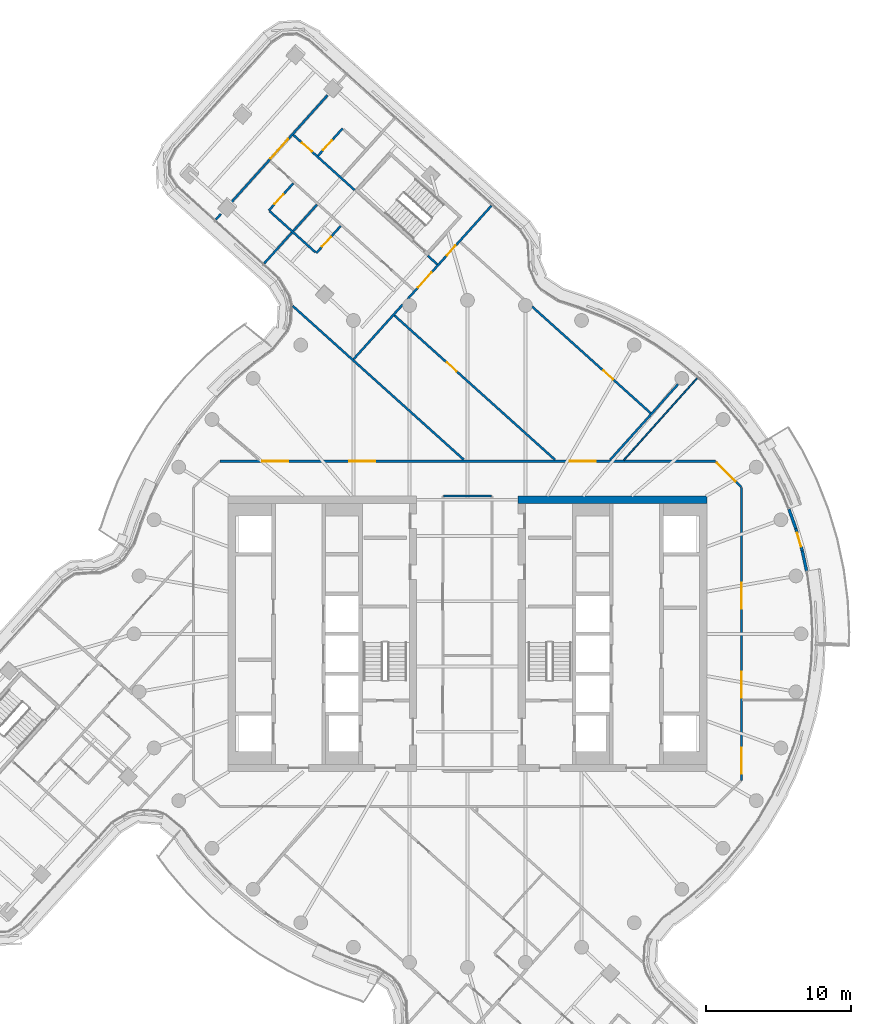
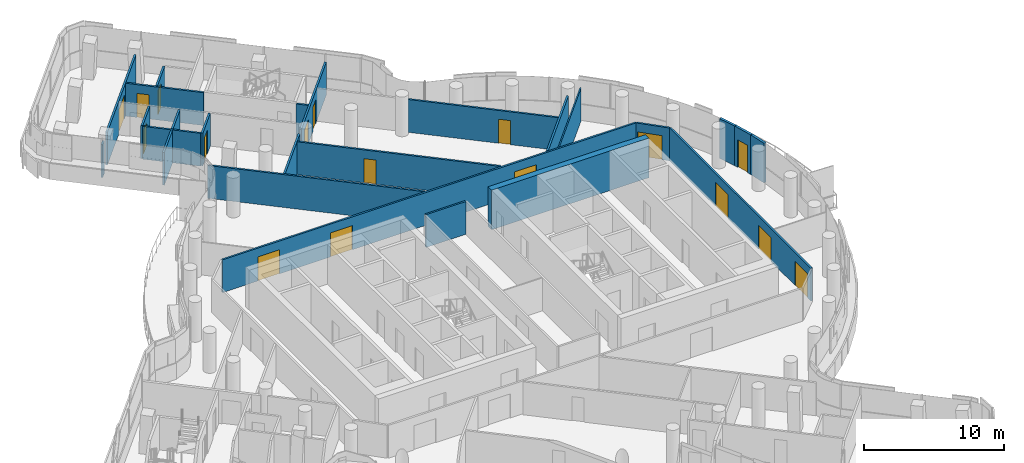
# One storey, part 22 of 31: 24 walls, 17 doors, 17 openings.
"""IFC4 building model written with IfcOpenShell, lengths in metres."""

from ifc_helpers import new_model, si_unit, direction, frame, frame_2d, origin, place, context, subcontext, project, spatial, rectangle, extrude, material, layer, layer_set, type_object, element, fill, save


model = new_model("IFC4")

# Units and contexts
model_context = context("Model", 3, precision=1e-05, world=origin(), true_north=direction((0.0, 1.0)))
body_context = subcontext(model_context, "Body", "Model", "MODEL_VIEW")
ifc_project = project(units=[si_unit("LENGTHUNIT", "METRE"), si_unit("AREAUNIT", "SQUARE_METRE"), si_unit("VOLUMEUNIT", "CUBIC_METRE"), si_unit("PLANEANGLEUNIT", "RADIAN"), si_unit("MASSUNIT", "GRAM", prefix="KILO")], contexts=[model_context])

# Site, building, storey
site_placement = place(None, origin())
site = spatial("IfcSite", under=ifc_project, at=site_placement, CompositionType="ELEMENT")
building_placement = place(site_placement, origin())
building = spatial("IfcBuilding", under=site, at=building_placement, Name="Tamarind Cross Interchange Tower", CompositionType="ELEMENT")
storey_placement = place(building_placement, frame((0.0, 0.0, 207.699951171875)))
storey = spatial("IfcBuildingStorey", under=building, at=storey_placement, Name="L52", CompositionType="ELEMENT", Elevation=207.699951171875)

# Walls
ifc_material_1 = material(Name="Concrete C40", Category="concrete")
ifc_layer_1 = layer(ifc_material_1, 0.199951171875)
ifc_layer_set_1 = layer_set([ifc_layer_1], Name="Concrete C40")
wall_type_1 = type_object("IfcWallType", Name="Balcony and garden door wall", PredefinedType="SOLIDWALL", material=ifc_layer_set_1)
wall_1_placement = place(storey_placement, frame((23.388427734375, 4.324951171875, 0.0), z_axis=(0.0, 0.0, 1.0), x_axis=(-0.209564080512, 0.977794915184, 0.0)))
element("IfcWall", 1, at=wall_1_placement, inside=storey, type_object=wall_type_1, Name="EXW-L52-06-D07L", PredefinedType="SOLIDWALL", context=body_context, shape_type="SweptSolid", body=[
    extrude(rectangle(XDim=1.429443359375, YDim=0.199951171875, at=frame_2d((0.71484375, 0.0))), origin(), (0.0, 0.0, 1.0), 3.4599609375),
])
wall_2_placement = place(storey_placement, frame((22.6435546875, 7.2587890625, 0.0), z_axis=(0.0, 0.0, 1.0), x_axis=(-0.335491776762, 0.942043134748, 0.0)))
element("IfcWall", 2, at=wall_2_placement, inside=storey, type_object=wall_type_1, Name="EXW-L52-06-D07R", PredefinedType="SOLIDWALL", context=body_context, shape_type="SweptSolid", body=[
    extrude(rectangle(XDim=1.428466796875, YDim=0.199951171875, at=frame_2d((0.71435546875, 0.0))), origin(), (0.0, 0.0, 1.0), 3.4599609375),
])

# Wall, opening, door
wall_3_placement = place(storey_placement, frame((23.0888671875, 5.72265625, 0.0), z_axis=(0.0, 0.0, 1.0), x_axis=(-0.278428701077, 0.960456900864, 0.0)))
wall_3 = element("IfcWall", 3, at=wall_3_placement, inside=storey, type_object=wall_type_1, Name="EXW-L52-06-D07", PredefinedType="SOLIDWALL", context=body_context, shape_type="SweptSolid", body=[
    extrude(rectangle(XDim=1.599365234375, YDim=0.199951171875, at=frame_2d((0.7998046875, 0.0))), origin(), (0.0, 0.0, 1.0), 3.4599609375),
])
opening_1_placement = place(wall_3_placement, frame((0.299560546875, 0.0, 0.0)))
opening_1 = element("IfcOpeningElement", 4, at=opening_1_placement, cuts=wall_3, Name="Opening D2", PredefinedType="OPENING", context=body_context, shape_type="SweptSolid", body=[
    extrude(rectangle(XDim=1.0, YDim=2.39990234375, at=frame_2d((0.5, 1.199951171875))), frame((0.0, 0.10986328125, 0.0), z_axis=(0.0, -1.0, 0.0), x_axis=(1.0, 0.0, 0.0)), (0.0, 0.0, 1.0), 0.219970703125),
])
ifc_material_2 = material(Name="Aluminium and toughened glass", Category="aluminium")
door_type_1 = type_object("IfcDoorType", Name="Balcony and garden door", OperationType="SINGLE_SWING_LEFT", PredefinedType="DOOR", material=ifc_material_2)
door_1_placement = place(opening_1_placement, origin())
door_1 = element("IfcDoor", 5, at=door_1_placement, inside=storey, type_object=door_type_1, Name="DOR-L52-06-07", OperationType="SINGLE_SWING_LEFT", OverallHeight=2.39990234375, OverallWidth=1.0, PredefinedType="DOOR", context=body_context, shape_type="SweptSolid", body=[
    extrude(rectangle(XDim=1.0, YDim=2.39990234375, at=frame_2d((0.5, 1.199951171875))), frame((0.0, 0.02490234375, 0.0), z_axis=(0.0, -1.0, 0.0), x_axis=(1.0, 0.0, 0.0)), (0.0, 0.0, 1.0), 0.050048828125),
])
fill(opening_1, door_1)

# Walls
ifc_material_3 = material(Name="Concrete C55", Category="concrete")
ifc_layer_2 = layer(ifc_material_3, 0.5)
ifc_layer_set_2 = layer_set([ifc_layer_2], Name="Concrete C55")
wall_type_2 = type_object("IfcWallType", Name="Core wall 500 mm Concrete C55", PredefinedType="SHEAR", material=ifc_layer_set_2)
wall_4_placement = place(storey_placement, frame((16.5, 9.25, 0.0), z_axis=(0.0, 0.0, 1.0), x_axis=(-1.0, 0.0, 0.0)))
element("IfcWall", 6, at=wall_4_placement, inside=storey, type_object=wall_type_2, Name="Core wall CWL-L52-E-NE", PredefinedType="SHEAR", context=body_context, shape_type="SweptSolid", body=[
    extrude(rectangle(XDim=13.0, YDim=0.5, at=frame_2d((6.5, 0.0))), origin(), (0.0, 0.0, 1.0), 3.4599609375),
])
ifc_material_4 = material(Name="Gypsum board partition on steel studs", Category="steel")
ifc_layer_3 = layer(ifc_material_4, 0.10009765625)
ifc_layer_set_3 = layer_set([ifc_layer_3], Name="Gypsum board partition on steel studs")
wall_type_3 = type_object("IfcWallType", Name="Partition 100 mm EI 90", PredefinedType="PARTITIONING", material=ifc_layer_set_3)
wall_5_placement = place(storey_placement, frame((10.772216796875, 11.9892578125, 0.0), z_axis=(0.0, 0.0, 1.0), x_axis=(0.66831410143, 0.743879198412, 0.0)))
element("IfcWall", 7, at=wall_5_placement, inside=storey, type_object=wall_type_3, Name="Partition L52-064", PredefinedType="PARTITIONING", context=body_context, shape_type="SweptSolid", body=[
    extrude(rectangle(XDim=7.56982421875, YDim=0.10009765625, at=frame_2d((3.784912109375, 0.0))), origin(), (0.0, 0.0, 1.0), 2.864013671875),
])

# Wall, opening, door
ifc_layer_4 = layer(ifc_material_4, 0.14990234375)
ifc_layer_set_4 = layer_set([ifc_layer_4], Name="Gypsum board partition on steel studs")
wall_type_4 = type_object("IfcWallType", Name="Partition 150 mm EI 120", PredefinedType="PARTITIONING", material=ifc_layer_set_4)
wall_6_placement = place(storey_placement, frame((17.12841796875, 11.87158203125, 0.0), z_axis=(0.0, 0.0, 1.0), x_axis=(0.707106781187, -0.707106781187, 0.0)))
wall_6 = element("IfcWall", 8, at=wall_6_placement, inside=storey, type_object=wall_type_4, Name="Partition L52-003", PredefinedType="PARTITIONING", context=body_context, shape_type="SweptSolid", body=[
    extrude(rectangle(XDim=2.465087890625, YDim=0.14990234375, at=frame_2d((1.232421875, 0.0))), origin(), (0.0, 0.0, 1.0), 2.864013671875),
])
opening_2_placement = place(wall_6_placement, frame((0.110107421875, 0.0, 0.0)))
opening_2 = element("IfcOpeningElement", 9, at=opening_2_placement, cuts=wall_6, Name="Opening D01", PredefinedType="OPENING", context=body_context, shape_type="SweptSolid", body=[
    extrude(rectangle(XDim=1.800048828125, YDim=2.10009765625, at=frame_2d((0.89990234375, 1.050048828125))), frame((0.0, 0.0849609375, 0.0), z_axis=(0.0, -1.0, 0.0), x_axis=(1.0, 0.0, 0.0)), (0.0, 0.0, 1.0), 0.169921875),
])
ifc_material_5 = material(Name="Fire-resisting door set")
door_type_2 = type_object("IfcDoorType", Name="Interior door 1800 x 2100 FD60S", OperationType="DOUBLE_DOOR_SINGLE_SWING", PredefinedType="DOOR", material=ifc_material_5)
door_2_placement = place(opening_2_placement, origin())
door_2 = element("IfcDoor", 10, at=door_2_placement, inside=storey, type_object=door_type_2, Name="Door D01", OperationType="DOUBLE_DOOR_SINGLE_SWING", OverallHeight=2.10009765625, OverallWidth=1.800048828125, PredefinedType="DOOR", context=body_context, shape_type="SweptSolid", body=[
    extrude(rectangle(XDim=1.800048828125, YDim=2.10009765625, at=frame_2d((0.89990234375, 1.050048828125))), frame((0.0, 0.02490234375, 0.0), z_axis=(0.0, -1.0, 0.0), x_axis=(1.0, 0.0, 0.0)), (0.0, 0.0, 1.0), 0.050048828125),
])
fill(opening_2, door_2)

# Wall
wall_7_placement = place(storey_placement, frame((-13.64208984375, 29.14794921875, 0.0), z_axis=(0.0, 0.0, 1.0), x_axis=(0.744007909304, -0.668170809668, 0.0)))
element("IfcWall", 11, at=wall_7_placement, inside=storey, type_object=wall_type_4, Name="Partition L52-013", PredefinedType="PARTITIONING", context=body_context, shape_type="SweptSolid", body=[
    extrude(rectangle(XDim=4.24951171875, YDim=0.14990234375, at=frame_2d((2.124755859375, 0.0))), origin(), (0.0, 0.0, 1.0), 2.864013671875),
])

# Wall, opening, door
wall_8_placement = place(storey_placement, frame((-12.007568359375, 34.401611328125, 0.0), z_axis=(0.0, 0.0, 1.0), x_axis=(0.743838918266, -0.668358933263, 0.0)))
wall_8 = element("IfcWall", 12, at=wall_8_placement, inside=storey, type_object=wall_type_4, Name="Partition L52-017", PredefinedType="PARTITIONING", context=body_context, shape_type="SweptSolid", body=[
    extrude(rectangle(XDim=5.6796875, YDim=0.14990234375, at=frame_2d((2.83984375, 0.0))), origin(), (0.0, 0.0, 1.0), 2.864013671875),
])
opening_3_placement = place(wall_8_placement, frame((0.820068359375, 0.0, 0.0)))
opening_3 = element("IfcOpeningElement", 13, at=opening_3_placement, cuts=wall_8, Name="Opening D10", PredefinedType="OPENING", context=body_context, shape_type="SweptSolid", body=[
    extrude(rectangle(XDim=0.89990234375, YDim=2.10009765625, at=frame_2d((0.449951171875, 1.050048828125))), frame((0.0, 0.0849609375, 0.0), z_axis=(0.0, -1.0, 0.0), x_axis=(1.0, 0.0, 0.0)), (0.0, 0.0, 1.0), 0.169921875),
])
door_type_3 = type_object("IfcDoorType", Name="Interior door 900 x 2100 FD60S", OperationType="SINGLE_SWING_LEFT", PredefinedType="DOOR", material=ifc_material_5)
door_3_placement = place(opening_3_placement, origin())
door_3 = element("IfcDoor", 14, at=door_3_placement, inside=storey, type_object=door_type_3, Name="Door D10", OperationType="SINGLE_SWING_RIGHT", OverallHeight=2.10009765625, OverallWidth=0.89990234375, PredefinedType="DOOR", context=body_context, shape_type="SweptSolid", body=[
    extrude(rectangle(XDim=0.89990234375, YDim=2.10009765625, at=frame_2d((0.449951171875, 1.050048828125))), frame((0.0, 0.02490234375, 0.0), z_axis=(0.0, -1.0, 0.0), x_axis=(1.0, 0.0, 0.0)), (0.0, 0.0, 1.0), 0.050048828125),
])
fill(opening_3, door_3)

# Walls
wall_9_placement = place(storey_placement, frame((-2.739013671875, 26.073486328125, 0.0), z_axis=(0.0, 0.0, 1.0), x_axis=(0.743969878474, -0.668213154557, 0.0)))
element("IfcWall", 15, at=wall_9_placement, inside=storey, type_object=wall_type_4, Name="Partition L52-018", PredefinedType="PARTITIONING", context=body_context, shape_type="SweptSolid", body=[
    extrude(rectangle(XDim=0.8798828125, YDim=0.14990234375, at=frame_2d((0.43994140625, 0.0))), origin(), (0.0, 0.0, 1.0), 2.864013671875),
])
wall_10_placement = place(storey_placement, frame((-12.05908203125, 22.6171875, 0.0), z_axis=(0.0, 0.0, 1.0), x_axis=(0.743880712791, -0.668312415819, 0.0)))
element("IfcWall", 16, at=wall_10_placement, inside=storey, type_object=wall_type_4, Name="Partition L52-019", PredefinedType="PARTITIONING", context=body_context, shape_type="SweptSolid", body=[
    extrude(rectangle(XDim=15.8662109375, YDim=0.14990234375, at=frame_2d((7.93310546875, 0.0))), origin(), (0.0, 0.0, 1.0), 2.864013671875),
])

# Wall, opening, door
wall_11_placement = place(storey_placement, frame((-5.03955078125, 21.95751953125, 0.0), z_axis=(0.0, 0.0, 1.0), x_axis=(0.743847907663, -0.668348928528, 0.0)))
wall_11 = element("IfcWall", 17, at=wall_11_placement, inside=storey, type_object=wall_type_4, Name="Partition L52-022", PredefinedType="PARTITIONING", context=body_context, shape_type="SweptSolid", body=[
    extrude(rectangle(XDim=14.878173828125, YDim=0.14990234375, at=frame_2d((7.43896484375, 0.0))), origin(), (0.0, 0.0, 1.0), 2.864013671875),
])
opening_4_placement = place(wall_11_placement, frame((4.8701171875, 0.0, 0.0)))
opening_4 = element("IfcOpeningElement", 18, at=opening_4_placement, cuts=wall_11, Name="Opening D13", PredefinedType="OPENING", context=body_context, shape_type="SweptSolid", body=[
    extrude(rectangle(XDim=0.89990234375, YDim=2.10009765625, at=frame_2d((0.449951171875, 1.050048828125))), frame((0.0, 0.0849609375, 0.0), z_axis=(0.0, -1.0, 0.0), x_axis=(1.0, 0.0, 0.0)), (0.0, 0.0, 1.0), 0.169921875),
])
door_4_placement = place(opening_4_placement, frame((0.89990234375, 0.0, 0.0), z_axis=(0.0, 0.0, 1.0), x_axis=(-1.0, 0.0, 0.0)))
door_4 = element("IfcDoor", 19, at=door_4_placement, inside=storey, type_object=door_type_3, Name="Door D13", OperationType="SINGLE_SWING_LEFT", OverallHeight=2.10009765625, OverallWidth=0.89990234375, PredefinedType="DOOR", context=body_context, shape_type="SweptSolid", body=[
    extrude(rectangle(XDim=0.89990234375, YDim=2.10009765625, at=frame_2d((0.449951171875, 1.050048828125))), frame((0.0, 0.02490234375, 0.0), z_axis=(0.0, -1.0, 0.0), x_axis=(1.0, 0.0, 0.0)), (0.0, 0.0, 1.0), 0.050048828125),
])
fill(opening_4, door_4)

wall_12_placement = place(storey_placement, frame((4.45654296875, 22.56689453125, 0.0), z_axis=(0.0, 0.0, 1.0), x_axis=(0.74382000742, -0.668379979175, 0.0)))
wall_12 = element("IfcWall", 20, at=wall_12_placement, inside=storey, type_object=wall_type_4, Name="Partition L52-024", PredefinedType="PARTITIONING", context=body_context, shape_type="SweptSolid", body=[
    extrude(rectangle(XDim=10.983642578125, YDim=0.14990234375, at=frame_2d((5.49169921875, 0.0))), origin(), (0.0, 0.0, 1.0), 2.864013671875),
])
opening_5_placement = place(wall_12_placement, frame((6.60009765625, 0.0, 0.0)))
opening_5 = element("IfcOpeningElement", 21, at=opening_5_placement, cuts=wall_12, Name="Opening D14", PredefinedType="OPENING", context=body_context, shape_type="SweptSolid", body=[
    extrude(rectangle(XDim=0.89990234375, YDim=2.10009765625, at=frame_2d((0.449951171875, 1.050048828125))), frame((0.0, 0.0849609375, 0.0), z_axis=(0.0, -1.0, 0.0), x_axis=(1.0, 0.0, 0.0)), (0.0, 0.0, 1.0), 0.169921875),
])
door_5_placement = place(opening_5_placement, origin())
door_5 = element("IfcDoor", 22, at=door_5_placement, inside=storey, type_object=door_type_3, Name="Door D14", OperationType="SINGLE_SWING_LEFT", OverallHeight=2.10009765625, OverallWidth=0.89990234375, PredefinedType="DOOR", context=body_context, shape_type="SweptSolid", body=[
    extrude(rectangle(XDim=0.89990234375, YDim=2.10009765625, at=frame_2d((0.449951171875, 1.050048828125))), frame((0.0, 0.02490234375, 0.0), z_axis=(0.0, -1.0, 0.0), x_axis=(1.0, 0.0, 0.0)), (0.0, 0.0, 1.0), 0.050048828125),
])
fill(opening_5, door_5)

# Wall, openings, doors
wall_13_placement = place(storey_placement, frame((-17.06494140625, 11.89990234375, 0.0), z_axis=(0.0, 0.0, 1.0), x_axis=(1.0, 0.0, 0.0)))
wall_13 = element("IfcWall", 23, at=wall_13_placement, inside=storey, type_object=wall_type_4, Name="Partition L52-031", PredefinedType="PARTITIONING", context=body_context, shape_type="SweptSolid", body=[
    extrude(rectangle(XDim=34.1650390625, YDim=0.14990234375, at=frame_2d((17.08251953125, 0.0))), origin(), (0.0, 0.0, 1.0), 2.864013671875),
])
opening_6_placement = place(wall_13_placement, frame((24.118896484375, 0.0, 0.0)))
opening_6 = element("IfcOpeningElement", 24, at=opening_6_placement, cuts=wall_13, Name="Opening D22", PredefinedType="OPENING", context=body_context, shape_type="SweptSolid", body=[
    extrude(rectangle(XDim=1.800048828125, YDim=2.10009765625, at=frame_2d((0.89990234375, 1.050048828125))), frame((0.0, 0.0849609375, 0.0), z_axis=(0.0, -1.0, 0.0), x_axis=(1.0, 0.0, 0.0)), (0.0, 0.0, 1.0), 0.169921875),
])
opening_7_placement = place(wall_13_placement, frame((8.91796875, 0.0, 0.0)))
opening_7 = element("IfcOpeningElement", 25, at=opening_7_placement, cuts=wall_13, Name="Opening D23", PredefinedType="OPENING", context=body_context, shape_type="SweptSolid", body=[
    extrude(rectangle(XDim=1.800048828125, YDim=2.10009765625, at=frame_2d((0.89990234375, 1.050048828125))), frame((0.0, 0.0849609375, 0.0), z_axis=(0.0, -1.0, 0.0), x_axis=(1.0, 0.0, 0.0)), (0.0, 0.0, 1.0), 0.169921875),
])
opening_8_placement = place(wall_13_placement, frame((2.91796875, 0.0, 0.0)))
opening_8 = element("IfcOpeningElement", 26, at=opening_8_placement, cuts=wall_13, Name="Opening D24", PredefinedType="OPENING", context=body_context, shape_type="SweptSolid", body=[
    extrude(rectangle(XDim=1.800048828125, YDim=2.10009765625, at=frame_2d((0.89990234375, 1.050048828125))), frame((0.0, 0.0849609375, 0.0), z_axis=(0.0, -1.0, 0.0), x_axis=(1.0, 0.0, 0.0)), (0.0, 0.0, 1.0), 0.169921875),
])
door_6_placement = place(opening_6_placement, frame((1.800048828125, 0.0, 0.0), z_axis=(0.0, 0.0, 1.0), x_axis=(-1.0, 0.0, 0.0)))
door_6 = element("IfcDoor", 27, at=door_6_placement, inside=storey, type_object=door_type_2, Name="Door D22", OperationType="DOUBLE_DOOR_SINGLE_SWING", OverallHeight=2.10009765625, OverallWidth=1.800048828125, PredefinedType="DOOR", context=body_context, shape_type="SweptSolid", body=[
    extrude(rectangle(XDim=1.800048828125, YDim=2.10009765625, at=frame_2d((0.89990234375, 1.050048828125))), frame((0.0, 0.02490234375, 0.0), z_axis=(0.0, -1.0, 0.0), x_axis=(1.0, 0.0, 0.0)), (0.0, 0.0, 1.0), 0.050048828125),
])
fill(opening_6, door_6)
door_7_placement = place(opening_7_placement, origin())
door_7 = element("IfcDoor", 28, at=door_7_placement, inside=storey, type_object=door_type_2, Name="Door D23", OperationType="DOUBLE_DOOR_SINGLE_SWING", OverallHeight=2.10009765625, OverallWidth=1.800048828125, PredefinedType="DOOR", context=body_context, shape_type="SweptSolid", body=[
    extrude(rectangle(XDim=1.800048828125, YDim=2.10009765625, at=frame_2d((0.89990234375, 1.050048828125))), frame((0.0, 0.02490234375, 0.0), z_axis=(0.0, -1.0, 0.0), x_axis=(1.0, 0.0, 0.0)), (0.0, 0.0, 1.0), 0.050048828125),
])
fill(opening_7, door_7)
door_8_placement = place(opening_8_placement, origin())
door_8 = element("IfcDoor", 29, at=door_8_placement, inside=storey, type_object=door_type_2, Name="Door D24", OperationType="DOUBLE_DOOR_SINGLE_SWING", OverallHeight=2.10009765625, OverallWidth=1.800048828125, PredefinedType="DOOR", context=body_context, shape_type="SweptSolid", body=[
    extrude(rectangle(XDim=1.800048828125, YDim=2.10009765625, at=frame_2d((0.89990234375, 1.050048828125))), frame((0.0, 0.02490234375, 0.0), z_axis=(0.0, -1.0, 0.0), x_axis=(1.0, 0.0, 0.0)), (0.0, 0.0, 1.0), 0.050048828125),
])
fill(opening_8, door_8)

# Walls
wall_14_placement = place(storey_placement, frame((-1.639892578125, 9.5, 0.0), z_axis=(0.0, 0.0, 1.0), x_axis=(1.0, 0.0, 0.0)))
element("IfcWall", 30, at=wall_14_placement, inside=storey, type_object=wall_type_4, Name="Partition L52-034", PredefinedType="PARTITIONING", context=body_context, shape_type="SweptSolid", body=[
    extrude(rectangle(XDim=3.27978515625, YDim=0.14990234375, at=frame_2d((1.639892578125, 0.0))), origin(), (0.0, 0.0, 1.0), 2.864013671875),
])
wall_15_placement = place(storey_placement, frame((-17.35693359375, 28.567138671875, 0.0), z_axis=(0.0, 0.0, 1.0), x_axis=(0.668250502002, 0.743936332339, 0.0)))
element("IfcWall", 31, at=wall_15_placement, inside=storey, type_object=wall_type_4, Name="Partition L52-044", PredefinedType="PARTITIONING", context=body_context, shape_type="SweptSolid", body=[
    extrude(rectangle(XDim=0.529052734375, YDim=0.14990234375, at=frame_2d((0.2646484375, 0.0))), origin(), (0.0, 0.0, 1.0), 2.864013671875),
])

# Wall, opening, door
wall_16_placement = place(storey_placement, frame((-16.29248046875, 29.752197265625, 0.0), z_axis=(0.0, 0.0, 1.0), x_axis=(0.668305639609, 0.743886800573, 0.0)))
wall_16 = element("IfcWall", 32, at=wall_16_placement, inside=storey, type_object=wall_type_4, Name="Partition L52-045", PredefinedType="PARTITIONING", context=body_context, shape_type="SweptSolid", body=[
    extrude(rectangle(XDim=9.9296875, YDim=0.14990234375, at=frame_2d((4.96484375, 0.0))), origin(), (0.0, 0.0, 1.0), 2.864013671875),
])
opening_9_placement = place(wall_16_placement, frame((4.072509765625, 0.0, 0.0)))
opening_9 = element("IfcOpeningElement", 33, at=opening_9_placement, cuts=wall_16, Name="Opening D29", PredefinedType="OPENING", context=body_context, shape_type="SweptSolid", body=[
    extrude(rectangle(XDim=1.800048828125, YDim=2.10009765625, at=frame_2d((0.89990234375, 1.050048828125))), frame((0.0, 0.0849609375, 0.0), z_axis=(0.0, -1.0, 0.0), x_axis=(1.0, 0.0, 0.0)), (0.0, 0.0, 1.0), 0.169921875),
])
door_9_placement = place(opening_9_placement, origin())
door_9 = element("IfcDoor", 34, at=door_9_placement, inside=storey, type_object=door_type_2, Name="Door D29", OperationType="DOUBLE_DOOR_SINGLE_SWING", OverallHeight=2.10009765625, OverallWidth=1.800048828125, PredefinedType="DOOR", context=body_context, shape_type="SweptSolid", body=[
    extrude(rectangle(XDim=1.800048828125, YDim=2.10009765625, at=frame_2d((0.89990234375, 1.050048828125))), frame((0.0, 0.02490234375, 0.0), z_axis=(0.0, -1.0, 0.0), x_axis=(1.0, 0.0, 0.0)), (0.0, 0.0, 1.0), 0.050048828125),
])
fill(opening_9, door_9)

# Wall
wall_17_placement = place(storey_placement, frame((-14.023193359375, 25.543701171875, 0.0), z_axis=(0.0, 0.0, 1.0), x_axis=(0.668287123149, 0.743903435288, 0.0)))
element("IfcWall", 35, at=wall_17_placement, inside=storey, type_object=wall_type_4, Name="Partition L52-048", PredefinedType="PARTITIONING", context=body_context, shape_type="SweptSolid", body=[
    extrude(rectangle(XDim=5.45654296875, YDim=0.14990234375, at=frame_2d((2.728271484375, 0.0))), origin(), (0.0, 0.0, 1.0), 2.864013671875),
])

# Wall, opening, door
wall_18_placement = place(storey_placement, frame((-13.697998046875, 29.197998046875, 0.0), z_axis=(0.0, 0.0, 1.0), x_axis=(0.668418641187, 0.743785264787, 0.0)))
wall_18 = element("IfcWall", 36, at=wall_18_placement, inside=storey, type_object=wall_type_4, Name="Partition L52-050", PredefinedType="PARTITIONING", context=body_context, shape_type="SweptSolid", body=[
    extrude(rectangle(XDim=2.520263671875, YDim=0.14990234375, at=frame_2d((1.26025390625, 0.0))), origin(), (0.0, 0.0, 1.0), 2.864013671875),
])
opening_10_placement = place(wall_18_placement, frame((0.60009765625, 0.0, 0.0)))
opening_10 = element("IfcOpeningElement", 37, at=opening_10_placement, cuts=wall_18, Name="Opening D30", PredefinedType="OPENING", context=body_context, shape_type="SweptSolid", body=[
    extrude(rectangle(XDim=0.89990234375, YDim=2.10009765625, at=frame_2d((0.449951171875, 1.050048828125))), frame((0.0, 0.0849609375, 0.0), z_axis=(0.0, -1.0, 0.0), x_axis=(1.0, 0.0, 0.0)), (0.0, 0.0, 1.0), 0.169921875),
])
door_10_placement = place(opening_10_placement, frame((0.89990234375, 0.0, 0.0), z_axis=(0.0, 0.0, 1.0), x_axis=(-1.0, 0.0, 0.0)))
door_10 = element("IfcDoor", 38, at=door_10_placement, inside=storey, type_object=door_type_3, Name="Door D30", OperationType="SINGLE_SWING_LEFT", OverallHeight=2.10009765625, OverallWidth=0.89990234375, PredefinedType="DOOR", context=body_context, shape_type="SweptSolid", body=[
    extrude(rectangle(XDim=0.89990234375, YDim=2.10009765625, at=frame_2d((0.449951171875, 1.050048828125))), frame((0.0, 0.02490234375, 0.0), z_axis=(0.0, -1.0, 0.0), x_axis=(1.0, 0.0, 0.0)), (0.0, 0.0, 1.0), 0.050048828125),
])
fill(opening_10, door_10)

wall_19_placement = place(storey_placement, frame((-10.302001953125, 32.97705078125, 0.0), z_axis=(0.0, 0.0, 1.0), x_axis=(0.668418641187, 0.743785264787, 0.0)))
wall_19 = element("IfcWall", 39, at=wall_19_placement, inside=storey, type_object=wall_type_4, Name="Partition L52-051", PredefinedType="PARTITIONING", context=body_context, shape_type="SweptSolid", body=[
    extrude(rectangle(XDim=2.520263671875, YDim=0.14990234375, at=frame_2d((1.26025390625, 0.0))), origin(), (0.0, 0.0, 1.0), 2.864013671875),
])
opening_11_placement = place(wall_19_placement, frame((0.52001953125, 0.0, 0.0)))
opening_11 = element("IfcOpeningElement", 40, at=opening_11_placement, cuts=wall_19, Name="Opening D31", PredefinedType="OPENING", context=body_context, shape_type="SweptSolid", body=[
    extrude(rectangle(XDim=0.89990234375, YDim=2.10009765625, at=frame_2d((0.449951171875, 1.050048828125))), frame((0.0, 0.0849609375, 0.0), z_axis=(0.0, -1.0, 0.0), x_axis=(1.0, 0.0, 0.0)), (0.0, 0.0, 1.0), 0.169921875),
])
door_11_placement = place(opening_11_placement, frame((0.89990234375, 0.0, 0.0), z_axis=(0.0, 0.0, 1.0), x_axis=(-1.0, 0.0, 0.0)))
door_11 = element("IfcDoor", 41, at=door_11_placement, inside=storey, type_object=door_type_3, Name="Door D31", OperationType="SINGLE_SWING_LEFT", OverallHeight=2.10009765625, OverallWidth=0.89990234375, PredefinedType="DOOR", context=body_context, shape_type="SweptSolid", body=[
    extrude(rectangle(XDim=0.89990234375, YDim=2.10009765625, at=frame_2d((0.449951171875, 1.050048828125))), frame((0.0, 0.02490234375, 0.0), z_axis=(0.0, -1.0, 0.0), x_axis=(1.0, 0.0, 0.0)), (0.0, 0.0, 1.0), 0.050048828125),
])
fill(opening_11, door_11)

wall_20_placement = place(storey_placement, frame((-10.425048828125, 26.258056640625, 0.0), z_axis=(0.0, 0.0, 1.0), x_axis=(0.668418641187, 0.743785264787, 0.0)))
wall_20 = element("IfcWall", 42, at=wall_20_placement, inside=storey, type_object=wall_type_4, Name="Partition L52-052", PredefinedType="PARTITIONING", context=body_context, shape_type="SweptSolid", body=[
    extrude(rectangle(XDim=2.520263671875, YDim=0.14990234375, at=frame_2d((1.26025390625, 0.0))), origin(), (0.0, 0.0, 1.0), 2.864013671875),
])
opening_12_placement = place(wall_20_placement, frame((0.60009765625, 0.0, 0.0)))
opening_12 = element("IfcOpeningElement", 43, at=opening_12_placement, cuts=wall_20, Name="Opening D32", PredefinedType="OPENING", context=body_context, shape_type="SweptSolid", body=[
    extrude(rectangle(XDim=0.89990234375, YDim=2.10009765625, at=frame_2d((0.449951171875, 1.050048828125))), frame((0.0, 0.0849609375, 0.0), z_axis=(0.0, -1.0, 0.0), x_axis=(1.0, 0.0, 0.0)), (0.0, 0.0, 1.0), 0.169921875),
])
door_12_placement = place(opening_12_placement, origin())
door_12 = element("IfcDoor", 44, at=door_12_placement, inside=storey, type_object=door_type_3, Name="Door D32", OperationType="SINGLE_SWING_RIGHT", OverallHeight=2.10009765625, OverallWidth=0.89990234375, PredefinedType="DOOR", context=body_context, shape_type="SweptSolid", body=[
    extrude(rectangle(XDim=0.89990234375, YDim=2.10009765625, at=frame_2d((0.449951171875, 1.050048828125))), frame((0.0, 0.02490234375, 0.0), z_axis=(0.0, -1.0, 0.0), x_axis=(1.0, 0.0, 0.0)), (0.0, 0.0, 1.0), 0.050048828125),
])
fill(opening_12, door_12)

# Wall
wall_21_placement = place(storey_placement, frame((-7.8525390625, 18.945556640625, 0.0), z_axis=(0.0, 0.0, 1.0), x_axis=(0.668252482961, 0.743934552912, 0.0)))
element("IfcWall", 45, at=wall_21_placement, inside=storey, type_object=wall_type_4, Name="Partition L52-053", PredefinedType="PARTITIONING", context=body_context, shape_type="SweptSolid", body=[
    extrude(rectangle(XDim=5.07763671875, YDim=0.14990234375, at=frame_2d((2.538818359375, 0.0))), origin(), (0.0, 0.0, 1.0), 2.864013671875),
])

# Wall, openings, doors
wall_22_placement = place(storey_placement, frame((-4.118896484375, 23.10205078125, 0.0), z_axis=(0.0, 0.0, 1.0), x_axis=(0.668236247313, 0.743949136552, 0.0)))
wall_22 = element("IfcWall", 46, at=wall_22_placement, inside=storey, type_object=wall_type_4, Name="Partition L52-054", PredefinedType="PARTITIONING", context=body_context, shape_type="SweptSolid", body=[
    extrude(rectangle(XDim=8.632080078125, YDim=0.14990234375, at=frame_2d((4.31591796875, 0.0))), origin(), (0.0, 0.0, 1.0), 2.864013671875),
])
opening_13_placement = place(wall_22_placement, frame((1.03271484375, 0.0, 0.0)))
opening_13 = element("IfcOpeningElement", 47, at=opening_13_placement, cuts=wall_22, Name="Opening D33", PredefinedType="OPENING", context=body_context, shape_type="SweptSolid", body=[
    extrude(rectangle(XDim=1.39990234375, YDim=2.10009765625, at=frame_2d((0.699951171875, 1.050048828125))), frame((0.0, 0.0849609375, 0.0), z_axis=(0.0, -1.0, 0.0), x_axis=(1.0, 0.0, 0.0)), (0.0, 0.0, 1.0), 0.169921875),
])
opening_14_placement = place(wall_22_placement, frame((4.03271484375, 0.0, 0.0)))
opening_14 = element("IfcOpeningElement", 48, at=opening_14_placement, cuts=wall_22, Name="Opening D34", PredefinedType="OPENING", context=body_context, shape_type="SweptSolid", body=[
    extrude(rectangle(XDim=0.89990234375, YDim=2.10009765625, at=frame_2d((0.449951171875, 1.050048828125))), frame((0.0, 0.0849609375, 0.0), z_axis=(0.0, -1.0, 0.0), x_axis=(1.0, 0.0, 0.0)), (0.0, 0.0, 1.0), 0.169921875),
])
door_type_4 = type_object("IfcDoorType", Name="Interior door 1400 x 2100 FD60S", OperationType="DOUBLE_DOOR_SINGLE_SWING", PredefinedType="DOOR", material=ifc_material_5)
door_13_placement = place(opening_13_placement, frame((1.39990234375, 0.0, 0.0), z_axis=(0.0, 0.0, 1.0), x_axis=(-1.0, 0.0, 0.0)))
door_13 = element("IfcDoor", 49, at=door_13_placement, inside=storey, type_object=door_type_4, Name="Door D33", OperationType="DOUBLE_DOOR_SINGLE_SWING", OverallHeight=2.10009765625, OverallWidth=1.39990234375, PredefinedType="DOOR", context=body_context, shape_type="SweptSolid", body=[
    extrude(rectangle(XDim=1.39990234375, YDim=2.10009765625, at=frame_2d((0.699951171875, 1.050048828125))), frame((0.0, 0.02490234375, 0.0), z_axis=(0.0, -1.0, 0.0), x_axis=(1.0, 0.0, 0.0)), (0.0, 0.0, 1.0), 0.050048828125),
])
fill(opening_13, door_13)
door_14_placement = place(opening_14_placement, origin())
door_14 = element("IfcDoor", 50, at=door_14_placement, inside=storey, type_object=door_type_3, Name="Door D34", OperationType="SINGLE_SWING_LEFT", OverallHeight=2.10009765625, OverallWidth=0.89990234375, PredefinedType="DOOR", context=body_context, shape_type="SweptSolid", body=[
    extrude(rectangle(XDim=0.89990234375, YDim=2.10009765625, at=frame_2d((0.449951171875, 1.050048828125))), frame((0.0, 0.02490234375, 0.0), z_axis=(0.0, -1.0, 0.0), x_axis=(1.0, 0.0, 0.0)), (0.0, 0.0, 1.0), 0.050048828125),
])
fill(opening_14, door_14)

# Wall
wall_23_placement = place(storey_placement, frame((9.843017578125, 12.0078125, 0.0), z_axis=(0.0, 0.0, 1.0), x_axis=(0.668361660756, 0.743836467533, 0.0)))
element("IfcWall", 51, at=wall_23_placement, inside=storey, type_object=wall_type_4, Name="Partition L52-065", PredefinedType="PARTITIONING", context=body_context, shape_type="SweptSolid", body=[
    extrude(rectangle(XDim=7.003173828125, YDim=0.14990234375, at=frame_2d((3.50146484375, 0.0))), origin(), (0.0, 0.0, 1.0), 2.864013671875),
])

# Wall, openings, doors
wall_24_placement = place(storey_placement, frame((18.89990234375, -10.10009765625, 0.0), z_axis=(0.0, 0.0, 1.0), x_axis=(0.0, 1.0, 0.0)))
wall_24 = element("IfcWall", 52, at=wall_24_placement, inside=storey, type_object=wall_type_4, Name="Partition L52-069", PredefinedType="PARTITIONING", context=body_context, shape_type="SweptSolid", body=[
    extrude(rectangle(XDim=20.2001953125, YDim=0.14990234375, at=frame_2d((10.10009765625, 0.0))), origin(), (0.0, 0.0, 1.0), 2.864013671875),
])
opening_15_placement = place(wall_24_placement, frame((0.449951171875, 0.0, 0.0)))
opening_15 = element("IfcOpeningElement", 53, at=opening_15_placement, cuts=wall_24, Name="Opening D42", PredefinedType="OPENING", context=body_context, shape_type="SweptSolid", body=[
    extrude(rectangle(XDim=1.800048828125, YDim=2.10009765625, at=frame_2d((0.89990234375, 1.050048828125))), frame((0.0, 0.0849609375, 0.0), z_axis=(0.0, -1.0, 0.0), x_axis=(1.0, 0.0, 0.0)), (0.0, 0.0, 1.0), 0.169921875),
])
opening_16_placement = place(wall_24_placement, frame((11.840087890625, 0.0, 0.0)))
opening_16 = element("IfcOpeningElement", 54, at=opening_16_placement, cuts=wall_24, Name="Opening D43", PredefinedType="OPENING", context=body_context, shape_type="SweptSolid", body=[
    extrude(rectangle(XDim=1.800048828125, YDim=2.10009765625, at=frame_2d((0.89990234375, 1.050048828125))), frame((0.0, 0.0849609375, 0.0), z_axis=(0.0, -1.0, 0.0), x_axis=(1.0, 0.0, 0.0)), (0.0, 0.0, 1.0), 0.169921875),
])
opening_17_placement = place(wall_24_placement, frame((5.68994140625, 0.0, 0.0)))
opening_17 = element("IfcOpeningElement", 55, at=opening_17_placement, cuts=wall_24, Name="Opening D44", PredefinedType="OPENING", context=body_context, shape_type="SweptSolid", body=[
    extrude(rectangle(XDim=1.800048828125, YDim=2.10009765625, at=frame_2d((0.89990234375, 1.050048828125))), frame((0.0, 0.0849609375, 0.0), z_axis=(0.0, -1.0, 0.0), x_axis=(1.0, 0.0, 0.0)), (0.0, 0.0, 1.0), 0.169921875),
])
door_15_placement = place(opening_15_placement, frame((1.800048828125, 0.0, 0.0), z_axis=(0.0, 0.0, 1.0), x_axis=(-1.0, 0.0, 0.0)))
door_15 = element("IfcDoor", 56, at=door_15_placement, inside=storey, type_object=door_type_2, Name="Door D42", OperationType="DOUBLE_DOOR_SINGLE_SWING", OverallHeight=2.10009765625, OverallWidth=1.800048828125, PredefinedType="DOOR", context=body_context, shape_type="SweptSolid", body=[
    extrude(rectangle(XDim=1.800048828125, YDim=2.10009765625, at=frame_2d((0.89990234375, 1.050048828125))), frame((0.0, 0.02490234375, 0.0), z_axis=(0.0, -1.0, 0.0), x_axis=(1.0, 0.0, 0.0)), (0.0, 0.0, 1.0), 0.050048828125),
])
fill(opening_15, door_15)
door_16_placement = place(opening_16_placement, frame((1.800048828125, 0.0, 0.0), z_axis=(0.0, 0.0, 1.0), x_axis=(-1.0, 0.0, 0.0)))
door_16 = element("IfcDoor", 57, at=door_16_placement, inside=storey, type_object=door_type_2, Name="Door D43", OperationType="DOUBLE_DOOR_SINGLE_SWING", OverallHeight=2.10009765625, OverallWidth=1.800048828125, PredefinedType="DOOR", context=body_context, shape_type="SweptSolid", body=[
    extrude(rectangle(XDim=1.800048828125, YDim=2.10009765625, at=frame_2d((0.89990234375, 1.050048828125))), frame((0.0, 0.02490234375, 0.0), z_axis=(0.0, -1.0, 0.0), x_axis=(1.0, 0.0, 0.0)), (0.0, 0.0, 1.0), 0.050048828125),
])
fill(opening_16, door_16)
door_17_placement = place(opening_17_placement, frame((1.800048828125, 0.0, 0.0), z_axis=(0.0, 0.0, 1.0), x_axis=(-1.0, 0.0, 0.0)))
door_17 = element("IfcDoor", 58, at=door_17_placement, inside=storey, type_object=door_type_2, Name="Door D44", OperationType="DOUBLE_DOOR_SINGLE_SWING", OverallHeight=2.10009765625, OverallWidth=1.800048828125, PredefinedType="DOOR", context=body_context, shape_type="SweptSolid", body=[
    extrude(rectangle(XDim=1.800048828125, YDim=2.10009765625, at=frame_2d((0.89990234375, 1.050048828125))), frame((0.0, 0.02490234375, 0.0), z_axis=(0.0, -1.0, 0.0), x_axis=(1.0, 0.0, 0.0)), (0.0, 0.0, 1.0), 0.050048828125),
])
fill(opening_17, door_17)

save(model, "model.ifc")
